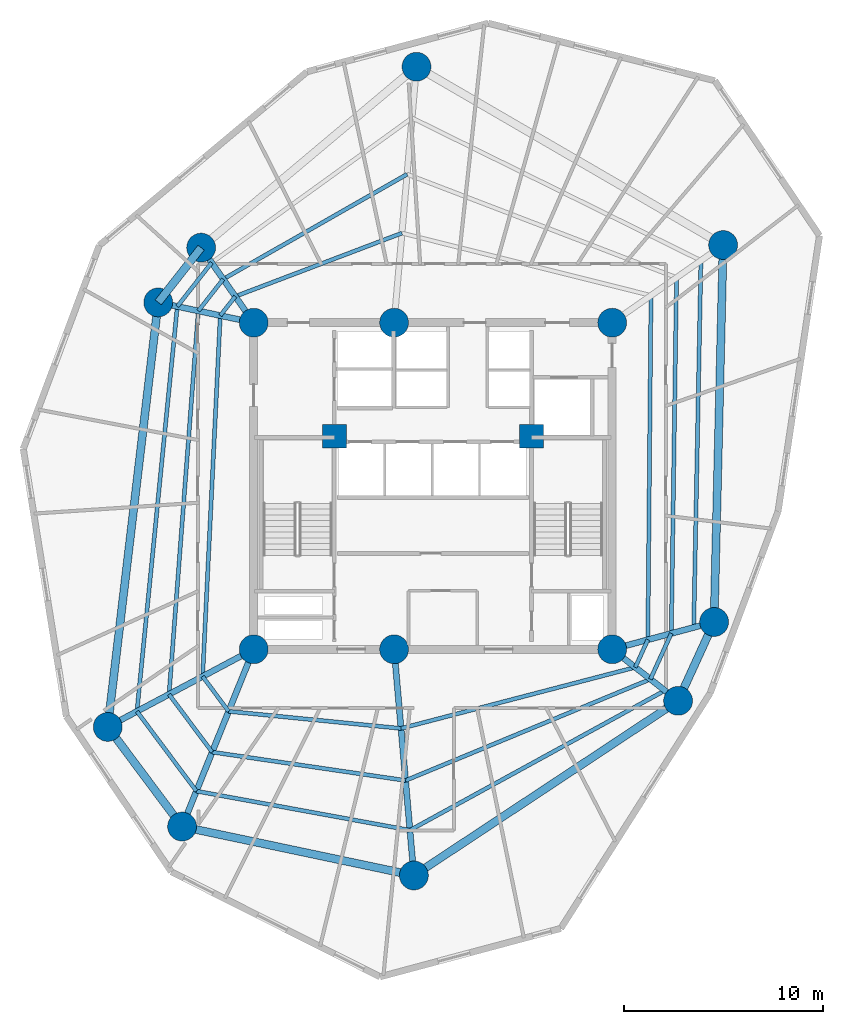
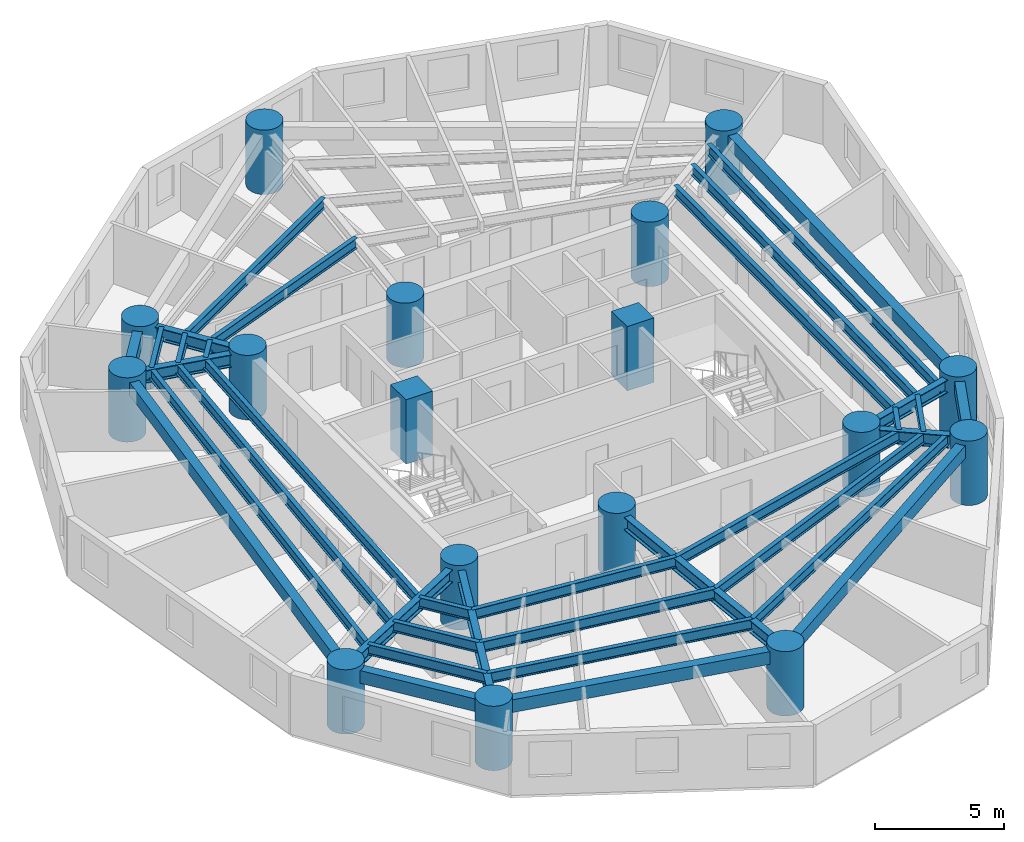
# One storey, part 1 of 7: 36 beams, 17 columns.
"""IFC4 building model written with IfcOpenShell, lengths in metres."""

from ifc_helpers import new_model, si_unit, direction, frame, origin, origin_with_axes, origin_2d, place, context, subcontext, project, spatial, rectangle, circle, i_section, extrude, source, transform, mapped, material, material_profile, profile_set, type_object, element, save


model = new_model("IFC4")

# Units and contexts
model_context = context("Model", 3, precision=1e-05, world=origin(), true_north=direction((0.0, 1.0)))
body_context = subcontext(model_context, "Body", "Model", "MODEL_VIEW")
ifc_project = project(units=[si_unit("LENGTHUNIT", "METRE"), si_unit("AREAUNIT", "SQUARE_METRE"), si_unit("VOLUMEUNIT", "CUBIC_METRE"), si_unit("PLANEANGLEUNIT", "RADIAN"), si_unit("MASSUNIT", "GRAM", prefix="KILO")], contexts=[model_context])

# Site, building, storey
site_placement = place(None, origin())
site = spatial("IfcSite", under=ifc_project, at=site_placement, CompositionType="ELEMENT")
building_placement = place(site_placement, origin())
building = spatial("IfcBuilding", under=site, at=building_placement, Name="Karkom Vertical University and Central Library", CompositionType="ELEMENT")
storey_placement = place(building_placement, frame((0.0, 0.0, 135.85009765625)))
storey = spatial("IfcBuildingStorey", under=building, at=storey_placement, Name="L38", CompositionType="ELEMENT", Elevation=135.85009765625)

# Columns
ifc_material_1 = material(Name="Concrete C50/60", Category="concrete")
ifc_material_profile_1 = material_profile(ifc_material_1, circle(Radius=0.72509765625, at=origin_2d()), Name="CFT-D1450")
ifc_profile_set_1 = profile_set([ifc_material_profile_1], Name="Concrete C50/60")
column_type_1 = type_object("IfcColumnType", Name="STR-COL-C-SC3", PredefinedType="COLUMN", material=ifc_profile_set_1)
shared_shape_1 = source(origin_with_axes(), body_context, "Body", "SweptSolid", [
    extrude(circle(Radius=0.72509765625, at=origin_2d()), origin(), (0.0, 0.0, 1.0), 3.0498046875),
])
for number, where, z_axis, x_axis, name in (
    (1, (19.5, 18.300048828125, 0.0), (0.0, 0.0, 1.0), (1.0, 0.0, 0.0), "Level 38 Spine Mega-Column SC-1"),
    (2, (26.550048828125, 18.300048828125, 0.0), (0.0, 0.0, 1.0), (1.0, 0.0, 0.0), "Level 38 Spine Mega-Column SC-2"),
    (3, (37.5, 18.300048828125, 0.0), (0.0, 0.0, 1.0), (1.0, 0.0, 0.0), "Level 38 Spine Mega-Column SC-3"),
    (4, (19.5, 34.699951171875, 0.0), (0.0, 0.0, 1.0), (1.0, 0.0, 0.0), "Level 38 Spine Mega-Column SC-4"),
    (5, (26.550048828125, 34.699951171875, 0.0), (0.0, 0.0, 1.0), (1.0, 0.0, 0.0), "Level 38 Spine Mega-Column SC-5"),
    (6, (37.5, 34.699951171875, 0.0), (0.0, 0.0, 1.0), (1.0, 0.0, 0.0), "Level 38 Spine Mega-Column SC-6"),
    (7, (42.618896484375, 19.672119140625, 0.0), (0.0, 0.0, 1.0), (1.0, 0.0, 0.0), "Level 38 Perimeter Mega-Column Z2-PC1"),
    (8, (43.070068359375, 38.60009765625, 0.0), (0.0, 0.0, 1.0), (1.0, 0.0, 0.0), "Level 38 Perimeter Mega-Column Z2-PC2"),
    (9, (27.674072265625, 47.551025390625, 0.0), (0.0, 0.0, 1.0), (1.0, 0.0, 0.0), "Level 38 Perimeter Mega-Column Z2-PC3"),
    (10, (16.862060546875, 38.468017578125, 0.0), (0.0, 0.0, 1.0), (1.0, 0.0, 0.0), "Level 38 Perimeter Mega-Column Z2-PC4"),
    (11, (14.70703125, 35.718994140625, 0.0), (0.0, 0.0, 1.0), (1.0, 0.0, 0.0), "Level 38 Perimeter Mega-Column Z2-PC5"),
    (12, (12.172119140625, 14.403076171875, 0.0), (0.0, 0.0, 1.0), (1.0, 0.0, 0.0), "Level 38 Perimeter Mega-Column Z2-PC6"),
    (13, (15.904052734375, 9.39892578125, 0.0), (0.0, 0.0, 1.0), (1.0, 0.0, 0.0), "Level 38 Perimeter Mega-Column Z2-PC7"),
    (14, (27.5439453125, 6.943115234375, 0.0), (0.0, 0.0, 1.0), (1.0, 0.0, 0.0), "Level 38 Perimeter Mega-Column Z2-PC8"),
    (15, (40.81005859375, 15.714111328125, 0.0), (0.0, 0.0, 1.0), (1.0, 0.0, 0.0), "Level 38 Perimeter Mega-Column Z2-PC9"),
):
    element("IfcColumn", number, at=place(storey_placement, frame(where, z_axis=z_axis, x_axis=x_axis)), inside=storey, type_object=column_type_1, Name=name, PredefinedType="COLUMN", context=body_context, shape_type="MappedRepresentation", body=[
        mapped(shared_shape_1, transform((0.0, 0.0, 0.0), scale=1.0)),
    ])
ifc_material_profile_2 = material_profile(ifc_material_1, rectangle(XDim=1.199951171875, YDim=1.199951171875, at=origin_2d()), Name="RC-1200x1200")
ifc_profile_set_2 = profile_set([ifc_material_profile_2], Name="Concrete C50/60")
column_type_2 = type_object("IfcColumnType", Name="STR-COL-C-CC1", PredefinedType="COLUMN", material=ifc_profile_set_2)
shared_shape_2 = source(origin_with_axes(), body_context, "Body", "SweptSolid", [
    extrude(rectangle(XDim=1.199951171875, YDim=1.199951171875, at=origin_2d()), origin(), (0.0, 0.0, 1.0), 3.0498046875),
])
for number, where, z_axis, x_axis, name in (
    (16, (23.550048828125, 29.0, 0.0), (0.0, 0.0, 1.0), (1.0, 0.0, 0.0), "Level 38 Core Node Column CC-1"),
    (17, (33.449951171875, 29.0, 0.0), (0.0, 0.0, 1.0), (1.0, 0.0, 0.0), "Level 38 Core Node Column CC-2"),
):
    element("IfcColumn", number, at=place(storey_placement, frame(where, z_axis=z_axis, x_axis=x_axis)), inside=storey, type_object=column_type_2, Name=name, PredefinedType="COLUMN", context=body_context, shape_type="MappedRepresentation", body=[
        mapped(shared_shape_2, transform((0.0, 0.0, 0.0), scale=1.0)),
    ])

# Beams
ifc_material_2 = material(Name="Precast concrete C45/55", Category="concrete")
ifc_material_profile_3 = material_profile(ifc_material_2, rectangle(XDim=0.39990234375, YDim=0.60009765625, at=origin_2d()), Name="SPB-400x600")
ifc_profile_set_3 = profile_set([ifc_material_profile_3], Name="Precast concrete C45/55")
beam_type_1 = type_object("IfcBeamType", Name="STR-BM-SP-1", PredefinedType="SPANDREL", material=ifc_profile_set_3)
shared_shape_3 = source(origin_with_axes(), body_context, "Body", "SweptSolid", [
    extrude(rectangle(XDim=0.39990234375, YDim=0.60009765625, at=origin_2d()), origin(), (0.0, 0.0, 1.0), 18.933349609375),
])
beam_1_placement = place(storey_placement, frame((42.618896484375, 19.672119140625, 2.52490234375), z_axis=(0.02382947333, 0.999716037783, 0.0), x_axis=(-0.999716037783, 0.02382947333, 0.0)))
element("IfcBeam", 18, at=beam_1_placement, inside=storey, type_object=beam_type_1, Name="Level 38 Perimeter Spandrel Beam 01", PredefinedType="SPANDREL", context=body_context, shape_type="MappedRepresentation", body=[
    mapped(shared_shape_3, transform((0.0, 0.0, 0.0), scale=1.0)),
])
shared_shape_4 = source(origin_with_axes(), body_context, "Body", "SweptSolid", [
    extrude(rectangle(XDim=0.39990234375, YDim=0.60009765625, at=origin_2d()), origin(), (0.0, 0.0, 1.0), 3.492919921875),
])
beam_2_placement = place(storey_placement, frame((16.862060546875, 38.468017578125, 2.52490234375), z_axis=(-0.616950700538, -0.787001799938, 0.0), x_axis=(0.787001799938, -0.616950700538, 0.0)))
element("IfcBeam", 19, at=beam_2_placement, inside=storey, type_object=beam_type_1, Name="Level 38 Perimeter Spandrel Beam 04", PredefinedType="SPANDREL", context=body_context, shape_type="MappedRepresentation", body=[
    mapped(shared_shape_4, transform((0.0, 0.0, 0.0), scale=1.0)),
])
shared_shape_5 = source(origin_with_axes(), body_context, "Body", "SweptSolid", [
    extrude(rectangle(XDim=0.39990234375, YDim=0.60009765625, at=origin_2d()), origin(), (0.0, 0.0, 1.0), 21.466064453125),
])
beam_3_placement = place(storey_placement, frame((14.70703125, 35.718994140625, 2.52490234375), z_axis=(-0.118088996795, -0.993003015522, 0.0), x_axis=(0.993003015522, -0.118088996795, 0.0)))
element("IfcBeam", 20, at=beam_3_placement, inside=storey, type_object=beam_type_1, Name="Level 38 Perimeter Spandrel Beam 05", PredefinedType="SPANDREL", context=body_context, shape_type="MappedRepresentation", body=[
    mapped(shared_shape_5, transform((0.0, 0.0, 0.0), scale=1.0)),
])
shared_shape_6 = source(origin_with_axes(), body_context, "Body", "SweptSolid", [
    extrude(rectangle(XDim=0.39990234375, YDim=0.60009765625, at=origin_2d()), origin(), (0.0, 0.0, 1.0), 6.242431640625),
])
beam_4_placement = place(storey_placement, frame((12.172119140625, 14.403076171875, 2.52490234375), z_axis=(0.59782643552, -0.801625569074, 0.0), x_axis=(0.801625569074, 0.59782643552, 0.0)))
element("IfcBeam", 21, at=beam_4_placement, inside=storey, type_object=beam_type_1, Name="Level 38 Perimeter Spandrel Beam 06", PredefinedType="SPANDREL", context=body_context, shape_type="MappedRepresentation", body=[
    mapped(shared_shape_6, transform((0.0, 0.0, 0.0), scale=1.0)),
])
shared_shape_7 = source(origin_with_axes(), body_context, "Body", "SweptSolid", [
    extrude(rectangle(XDim=0.39990234375, YDim=0.60009765625, at=origin_2d()), origin(), (0.0, 0.0, 1.0), 11.896240234375),
])
beam_5_placement = place(storey_placement, frame((15.904052734375, 9.39892578125, 2.52490234375), z_axis=(0.978459762135, -0.206437627101, 0.0), x_axis=(0.206437627101, 0.978459762135, 0.0)))
element("IfcBeam", 22, at=beam_5_placement, inside=storey, type_object=beam_type_1, Name="Level 38 Perimeter Spandrel Beam 07", PredefinedType="SPANDREL", context=body_context, shape_type="MappedRepresentation", body=[
    mapped(shared_shape_7, transform((0.0, 0.0, 0.0), scale=1.0)),
])
shared_shape_8 = source(origin_with_axes(), body_context, "Body", "SweptSolid", [
    extrude(rectangle(XDim=0.39990234375, YDim=0.60009765625, at=origin_2d()), origin(), (0.0, 0.0, 1.0), 15.903564453125),
])
beam_6_placement = place(storey_placement, frame((27.5439453125, 6.943115234375, 2.52490234375), z_axis=(0.834165069331, 0.551514856652, 0.0), x_axis=(-0.551514856652, 0.834165069331, 0.0)))
element("IfcBeam", 23, at=beam_6_placement, inside=storey, type_object=beam_type_1, Name="Level 38 Perimeter Spandrel Beam 08", PredefinedType="SPANDREL", context=body_context, shape_type="MappedRepresentation", body=[
    mapped(shared_shape_8, transform((0.0, 0.0, 0.0), scale=1.0)),
])
shared_shape_9 = source(origin_with_axes(), body_context, "Body", "SweptSolid", [
    extrude(rectangle(XDim=0.39990234375, YDim=0.60009765625, at=origin_2d()), origin(), (0.0, 0.0, 1.0), 4.351806640625),
])
beam_7_placement = place(storey_placement, frame((40.81005859375, 15.714111328125, 2.52490234375), z_axis=(0.415657668422, 0.909521139217, 0.0), x_axis=(-0.909521139217, 0.415657668422, 0.0)))
element("IfcBeam", 24, at=beam_7_placement, inside=storey, type_object=beam_type_1, Name="Level 38 Perimeter Spandrel Beam 09", PredefinedType="SPANDREL", context=body_context, shape_type="MappedRepresentation", body=[
    mapped(shared_shape_9, transform((0.0, 0.0, 0.0), scale=1.0)),
])
ifc_material_3 = material(Name="Steel S355", Category="steel")
ifc_material_profile_4 = material_profile(ifc_material_3, i_section(OverallWidth=0.199951171875, OverallDepth=0.5, WebThickness=0.01025390625, FlangeThickness=0.01611328125, FilletRadius=0.02099609375, at=origin_2d()), Name="IPE 500")
ifc_profile_set_4 = profile_set([ifc_material_profile_4], Name="Steel S355")
beam_type_2 = type_object("IfcBeamType", Name="STR-BM-SB-IPE500", PredefinedType="BEAM", material=ifc_profile_set_4)
shared_shape_10 = source(origin_with_axes(), body_context, "Body", "SweptSolid", [
    extrude(i_section(OverallWidth=0.199951171875, OverallDepth=0.5, WebThickness=0.01025390625, FlangeThickness=0.01611328125, FilletRadius=0.02099609375, at=origin_2d()), origin(), (0.0, 0.0, 1.0), 17.285400390625),
])
beam_8_placement = place(storey_placement, frame((39.29150390625, 18.7802734375, 2.574951171875), z_axis=(0.009138294648, 0.999958244914, 0.0), x_axis=(-0.999958244914, 0.009138294648, 0.0)))
element("IfcBeam", 25, at=beam_8_placement, inside=storey, type_object=beam_type_2, Name="Level 38 Secondary Composite Floor Beam 1.01", PredefinedType="BEAM", context=body_context, shape_type="MappedRepresentation", body=[
    mapped(shared_shape_10, transform((0.0, 0.0, 0.0), scale=1.0)),
])
shared_shape_11 = source(origin_with_axes(), body_context, "Body", "SweptSolid", [
    extrude(i_section(OverallWidth=0.199951171875, OverallDepth=0.5, WebThickness=0.01025390625, FlangeThickness=0.01611328125, FilletRadius=0.02099609375, at=origin_2d()), origin(), (0.0, 0.0, 1.0), 8.950439453125),
])
beam_9_placement = place(storey_placement, frame((26.943359375, 39.197998046875, 2.574951171875), z_axis=(-0.93478901494, -0.355203459368, 0.0), x_axis=(0.355203459368, -0.93478901494, 0.0)))
element("IfcBeam", 26, at=beam_9_placement, inside=storey, type_object=beam_type_2, Name="Level 38 Secondary Composite Floor Beam 1.03", PredefinedType="BEAM", context=body_context, shape_type="MappedRepresentation", body=[
    mapped(shared_shape_11, transform((0.0, 0.0, 0.0), scale=1.0)),
])
shared_shape_12 = source(origin_with_axes(), body_context, "Body", "SweptSolid", [
    extrude(i_section(OverallWidth=0.199951171875, OverallDepth=0.5, WebThickness=0.01025390625, FlangeThickness=0.01611328125, FilletRadius=0.02099609375, at=origin_2d()), origin(), (0.0, 0.0, 1.0), 1.222412109375),
])
beam_10_placement = place(storey_placement, frame((18.57666015625, 36.018798828125, 2.574951171875), z_axis=(-0.616895037184, -0.787045432677, 0.0), x_axis=(0.787045432677, -0.616895037184, 0.0)))
element("IfcBeam", 27, at=beam_10_placement, inside=storey, type_object=beam_type_2, Name="Level 38 Secondary Composite Floor Beam 1.04", PredefinedType="BEAM", context=body_context, shape_type="MappedRepresentation", body=[
    mapped(shared_shape_12, transform((0.0, 0.0, 0.0), scale=1.0)),
])
shared_shape_13 = source(origin_with_axes(), body_context, "Body", "SweptSolid", [
    extrude(i_section(OverallWidth=0.199951171875, OverallDepth=0.5, WebThickness=0.01025390625, FlangeThickness=0.01611328125, FilletRadius=0.02099609375, at=origin_2d()), origin(), (0.0, 0.0, 1.0), 18.142333984375),
])
beam_11_placement = place(storey_placement, frame((17.822509765625, 35.056640625, 2.574951171875), z_axis=(-0.048902644774, -0.998803549921, 0.0), x_axis=(0.998803549921, -0.048902644774, 0.0)))
element("IfcBeam", 28, at=beam_11_placement, inside=storey, type_object=beam_type_2, Name="Level 38 Secondary Composite Floor Beam 1.05", PredefinedType="BEAM", context=body_context, shape_type="MappedRepresentation", body=[
    mapped(shared_shape_13, transform((0.0, 0.0, 0.0), scale=1.0)),
])
shared_shape_14 = source(origin_with_axes(), body_context, "Body", "SweptSolid", [
    extrude(i_section(OverallWidth=0.199951171875, OverallDepth=0.5, WebThickness=0.01025390625, FlangeThickness=0.01611328125, FilletRadius=0.02099609375, at=origin_2d()), origin(), (0.0, 0.0, 1.0), 2.1845703125),
])
beam_12_placement = place(storey_placement, frame((16.935302734375, 16.93603515625, 2.574951171875), z_axis=(0.597870130664, -0.801592980795, 0.0), x_axis=(0.801592980795, 0.597870130664, 0.0)))
element("IfcBeam", 29, at=beam_12_placement, inside=storey, type_object=beam_type_2, Name="Level 38 Secondary Composite Floor Beam 1.06", PredefinedType="BEAM", context=body_context, shape_type="MappedRepresentation", body=[
    mapped(shared_shape_14, transform((0.0, 0.0, 0.0), scale=1.0)),
])
shared_shape_15 = source(origin_with_axes(), body_context, "Body", "SweptSolid", [
    extrude(i_section(OverallWidth=0.199951171875, OverallDepth=0.5, WebThickness=0.01025390625, FlangeThickness=0.01611328125, FilletRadius=0.02099609375, at=origin_2d()), origin(), (0.0, 0.0, 1.0), 8.698974609375),
])
beam_13_placement = place(storey_placement, frame((18.241455078125, 15.184814453125, 2.574951171875), z_axis=(0.995105588045, -0.098817349903, 0.0), x_axis=(0.098817349903, 0.995105588045, 0.0)))
element("IfcBeam", 30, at=beam_13_placement, inside=storey, type_object=beam_type_2, Name="Level 38 Secondary Composite Floor Beam 1.07", PredefinedType="BEAM", context=body_context, shape_type="MappedRepresentation", body=[
    mapped(shared_shape_15, transform((0.0, 0.0, 0.0), scale=1.0)),
])
shared_shape_16 = source(origin_with_axes(), body_context, "Body", "SweptSolid", [
    extrude(i_section(OverallWidth=0.199951171875, OverallDepth=0.5, WebThickness=0.01025390625, FlangeThickness=0.01611328125, FilletRadius=0.02099609375, at=origin_2d()), origin(), (0.0, 0.0, 1.0), 12.154541015625),
])
beam_14_placement = place(storey_placement, frame((26.89794921875, 14.3251953125, 2.574951171875), z_axis=(0.967579719768, 0.252565805077, 0.0), x_axis=(-0.252565805077, 0.967579719768, 0.0)))
element("IfcBeam", 31, at=beam_14_placement, inside=storey, type_object=beam_type_2, Name="Level 38 Secondary Composite Floor Beam 1.08", PredefinedType="BEAM", context=body_context, shape_type="MappedRepresentation", body=[
    mapped(shared_shape_16, transform((0.0, 0.0, 0.0), scale=1.0)),
])
shared_shape_17 = source(origin_with_axes(), body_context, "Body", "SweptSolid", [
    extrude(i_section(OverallWidth=0.199951171875, OverallDepth=0.5, WebThickness=0.01025390625, FlangeThickness=0.01611328125, FilletRadius=0.02099609375, at=origin_2d()), origin(), (0.0, 0.0, 1.0), 1.52294921875),
])
beam_15_placement = place(storey_placement, frame((38.658447265625, 17.39501953125, 2.574951171875), z_axis=(0.415649898107, 0.909524690266, 0.0), x_axis=(-0.909524690266, 0.415649898107, 0.0)))
element("IfcBeam", 32, at=beam_15_placement, inside=storey, type_object=beam_type_2, Name="Level 38 Secondary Composite Floor Beam 1.09", PredefinedType="BEAM", context=body_context, shape_type="MappedRepresentation", body=[
    mapped(shared_shape_17, transform((0.0, 0.0, 0.0), scale=1.0)),
])
shared_shape_18 = source(origin_with_axes(), body_context, "Body", "SweptSolid", [
    extrude(i_section(OverallWidth=0.199951171875, OverallDepth=0.5, WebThickness=0.01025390625, FlangeThickness=0.01611328125, FilletRadius=0.02099609375, at=origin_2d()), origin(), (0.0, 0.0, 1.0), 17.8681640625),
])
beam_16_placement = place(storey_placement, frame((40.468994140625, 19.095703125, 2.574951171875), z_axis=(0.014647239676, 0.999892723431, 0.0), x_axis=(-0.999892723431, 0.014647239676, 0.0)))
element("IfcBeam", 33, at=beam_16_placement, inside=storey, type_object=beam_type_2, Name="Level 38 Secondary Composite Floor Beam 2.01", PredefinedType="BEAM", context=body_context, shape_type="MappedRepresentation", body=[
    mapped(shared_shape_18, transform((0.0, 0.0, 0.0), scale=1.0)),
])
shared_shape_19 = source(origin_with_axes(), body_context, "Body", "SweptSolid", [
    extrude(i_section(OverallWidth=0.199951171875, OverallDepth=0.5, WebThickness=0.01025390625, FlangeThickness=0.01611328125, FilletRadius=0.02099609375, at=origin_2d()), origin(), (0.0, 0.0, 1.0), 10.629150390625),
])
beam_17_placement = place(storey_placement, frame((27.201904296875, 42.153564453125, 2.574951171875), z_axis=(-0.868539813491, -0.495619402748, 0.0), x_axis=(0.495619402748, -0.868539813491, 0.0)))
element("IfcBeam", 34, at=beam_17_placement, inside=storey, type_object=beam_type_2, Name="Level 38 Secondary Composite Floor Beam 2.03", PredefinedType="BEAM", context=body_context, shape_type="MappedRepresentation", body=[
    mapped(shared_shape_19, transform((0.0, 0.0, 0.0), scale=1.0)),
])
shared_shape_20 = source(origin_with_axes(), body_context, "Body", "SweptSolid", [
    extrude(i_section(OverallWidth=0.199951171875, OverallDepth=0.5, WebThickness=0.01025390625, FlangeThickness=0.01611328125, FilletRadius=0.02099609375, at=origin_2d()), origin(), (0.0, 0.0, 1.0), 2.02587890625),
])
beam_18_placement = place(storey_placement, frame((17.969970703125, 36.885498046875, 2.574951171875), z_axis=(-0.616889733535, -0.787049589708, 0.0), x_axis=(0.787049589708, -0.616889733535, 0.0)))
element("IfcBeam", 35, at=beam_18_placement, inside=storey, type_object=beam_type_2, Name="Level 38 Secondary Composite Floor Beam 2.04", PredefinedType="BEAM", context=body_context, shape_type="MappedRepresentation", body=[
    mapped(shared_shape_20, transform((0.0, 0.0, 0.0), scale=1.0)),
])
shared_shape_21 = source(origin_with_axes(), body_context, "Body", "SweptSolid", [
    extrude(i_section(OverallWidth=0.199951171875, OverallDepth=0.5, WebThickness=0.01025390625, FlangeThickness=0.01611328125, FilletRadius=0.02099609375, at=origin_2d()), origin(), (0.0, 0.0, 1.0), 19.307373046875),
])
beam_19_placement = place(storey_placement, frame((16.72021484375, 35.291015625, 2.574951171875), z_axis=(-0.07616078645, -0.997095549387, 0.0), x_axis=(0.997095549387, -0.07616078645, 0.0)))
element("IfcBeam", 36, at=beam_19_placement, inside=storey, type_object=beam_type_2, Name="Level 38 Secondary Composite Floor Beam 2.05", PredefinedType="BEAM", context=body_context, shape_type="MappedRepresentation", body=[
    mapped(shared_shape_21, transform((0.0, 0.0, 0.0), scale=1.0)),
])
shared_shape_22 = source(origin_with_axes(), body_context, "Body", "SweptSolid", [
    extrude(i_section(OverallWidth=0.199951171875, OverallDepth=0.5, WebThickness=0.01025390625, FlangeThickness=0.01611328125, FilletRadius=0.02099609375, at=origin_2d()), origin(), (0.0, 0.0, 1.0), 3.62060546875),
])
beam_20_placement = place(storey_placement, frame((15.249755859375, 16.039794921875, 2.574951171875), z_axis=(0.59784003707, -0.801615425298, 0.0), x_axis=(0.801615425298, 0.59784003707, 0.0)))
element("IfcBeam", 37, at=beam_20_placement, inside=storey, type_object=beam_type_2, Name="Level 38 Secondary Composite Floor Beam 2.06", PredefinedType="BEAM", context=body_context, shape_type="MappedRepresentation", body=[
    mapped(shared_shape_22, transform((0.0, 0.0, 0.0), scale=1.0)),
])
shared_shape_23 = source(origin_with_axes(), body_context, "Body", "SweptSolid", [
    extrude(i_section(OverallWidth=0.199951171875, OverallDepth=0.5, WebThickness=0.01025390625, FlangeThickness=0.01611328125, FilletRadius=0.02099609375, at=origin_2d()), origin(), (0.0, 0.0, 1.0), 9.816162109375),
])
beam_21_placement = place(storey_placement, frame((17.414306640625, 13.137451171875, 2.574951171875), z_axis=(0.989413295367, -0.145125225069, 0.0), x_axis=(0.145125225069, 0.989413295367, 0.0)))
element("IfcBeam", 38, at=beam_21_placement, inside=storey, type_object=beam_type_2, Name="Level 38 Secondary Composite Floor Beam 2.07", PredefinedType="BEAM", context=body_context, shape_type="MappedRepresentation", body=[
    mapped(shared_shape_23, transform((0.0, 0.0, 0.0), scale=1.0)),
])
shared_shape_24 = source(origin_with_axes(), body_context, "Body", "SweptSolid", [
    extrude(i_section(OverallWidth=0.199951171875, OverallDepth=0.5, WebThickness=0.01025390625, FlangeThickness=0.01611328125, FilletRadius=0.02099609375, at=origin_2d()), origin(), (0.0, 0.0, 1.0), 13.304443359375),
])
beam_22_placement = place(storey_placement, frame((27.12646484375, 11.712890625, 2.574951171875), z_axis=(0.924011243398, 0.382365299255, 0.0), x_axis=(-0.382365299255, 0.924011243398, 0.0)))
element("IfcBeam", 39, at=beam_22_placement, inside=storey, type_object=beam_type_2, Name="Level 38 Secondary Composite Floor Beam 2.08", PredefinedType="BEAM", context=body_context, shape_type="MappedRepresentation", body=[
    mapped(shared_shape_24, transform((0.0, 0.0, 0.0), scale=1.0)),
])
shared_shape_25 = source(origin_with_axes(), body_context, "Body", "SweptSolid", [
    extrude(i_section(OverallWidth=0.199951171875, OverallDepth=0.5, WebThickness=0.01025390625, FlangeThickness=0.01611328125, FilletRadius=0.02099609375, at=origin_2d()), origin(), (0.0, 0.0, 1.0), 2.52392578125),
])
beam_23_placement = place(storey_placement, frame((39.419921875, 16.800048828125, 2.574951171875), z_axis=(0.415638602127, 0.909529852408, 0.0), x_axis=(-0.909529852408, 0.415638602127, 0.0)))
element("IfcBeam", 40, at=beam_23_placement, inside=storey, type_object=beam_type_2, Name="Level 38 Secondary Composite Floor Beam 2.09", PredefinedType="BEAM", context=body_context, shape_type="MappedRepresentation", body=[
    mapped(shared_shape_25, transform((0.0, 0.0, 0.0), scale=1.0)),
])
shared_shape_26 = source(origin_with_axes(), body_context, "Body", "SweptSolid", [
    extrude(i_section(OverallWidth=0.199951171875, OverallDepth=0.5, WebThickness=0.01025390625, FlangeThickness=0.01611328125, FilletRadius=0.02099609375, at=origin_2d()), origin(), (0.0, 0.0, 1.0), 18.42578125),
])
beam_24_placement = place(storey_placement, frame((41.59521484375, 19.397705078125, 2.574951171875), z_axis=(0.019583298818, 0.999808228816, 0.0), x_axis=(-0.999808228816, 0.019583298818, 0.0)))
element("IfcBeam", 41, at=beam_24_placement, inside=storey, type_object=beam_type_2, Name="Level 38 Secondary Composite Floor Beam 3.01", PredefinedType="BEAM", context=body_context, shape_type="MappedRepresentation", body=[
    mapped(shared_shape_26, transform((0.0, 0.0, 0.0), scale=1.0)),
])
shared_shape_27 = source(origin_with_axes(), body_context, "Body", "SweptSolid", [
    extrude(i_section(OverallWidth=0.199951171875, OverallDepth=0.5, WebThickness=0.01025390625, FlangeThickness=0.01611328125, FilletRadius=0.02099609375, at=origin_2d()), origin(), (0.0, 0.0, 1.0), 2.79443359375),
])
beam_25_placement = place(storey_placement, frame((17.3896484375, 37.71435546875, 2.574951171875), z_axis=(-0.616972344898, -0.786984831894, 0.0), x_axis=(0.786984831894, -0.616972344898, 0.0)))
element("IfcBeam", 42, at=beam_25_placement, inside=storey, type_object=beam_type_2, Name="Level 38 Secondary Composite Floor Beam 3.04", PredefinedType="BEAM", context=body_context, shape_type="MappedRepresentation", body=[
    mapped(shared_shape_27, transform((0.0, 0.0, 0.0), scale=1.0)),
])
shared_shape_28 = source(origin_with_axes(), body_context, "Body", "SweptSolid", [
    extrude(i_section(OverallWidth=0.199951171875, OverallDepth=0.5, WebThickness=0.01025390625, FlangeThickness=0.01611328125, FilletRadius=0.02099609375, at=origin_2d()), origin(), (0.0, 0.0, 1.0), 20.43359375),
])
beam_26_placement = place(storey_placement, frame((15.66552734375, 35.51513671875, 2.574951171875), z_axis=(-0.099239913611, -0.995063535432, 0.0), x_axis=(0.995063535432, -0.099239913611, 0.0)))
element("IfcBeam", 43, at=beam_26_placement, inside=storey, type_object=beam_type_2, Name="Level 38 Secondary Composite Floor Beam 3.05", PredefinedType="BEAM", context=body_context, shape_type="MappedRepresentation", body=[
    mapped(shared_shape_28, transform((0.0, 0.0, 0.0), scale=1.0)),
])
shared_shape_29 = source(origin_with_axes(), body_context, "Body", "SweptSolid", [
    extrude(i_section(OverallWidth=0.199951171875, OverallDepth=0.5, WebThickness=0.01025390625, FlangeThickness=0.01611328125, FilletRadius=0.02099609375, at=origin_2d()), origin(), (0.0, 0.0, 1.0), 4.993896484375),
])
beam_27_placement = place(storey_placement, frame((13.6376953125, 15.182373046875, 2.574951171875), z_axis=(0.597846775537, -0.801610399745, 0.0), x_axis=(0.801610399745, 0.597846775537, 0.0)))
element("IfcBeam", 44, at=beam_27_placement, inside=storey, type_object=beam_type_2, Name="Level 38 Secondary Composite Floor Beam 3.06", PredefinedType="BEAM", context=body_context, shape_type="MappedRepresentation", body=[
    mapped(shared_shape_29, transform((0.0, 0.0, 0.0), scale=1.0)),
])
shared_shape_30 = source(origin_with_axes(), body_context, "Body", "SweptSolid", [
    extrude(i_section(OverallWidth=0.199951171875, OverallDepth=0.5, WebThickness=0.01025390625, FlangeThickness=0.01611328125, FilletRadius=0.02099609375, at=origin_2d()), origin(), (0.0, 0.0, 1.0), 10.900390625),
])
beam_28_placement = place(storey_placement, frame((16.623291015625, 11.17919921875, 2.574951171875), z_axis=(0.98362026014, -0.180253110495, 0.0), x_axis=(0.180253110495, 0.98362026014, 0.0)))
element("IfcBeam", 45, at=beam_28_placement, inside=storey, type_object=beam_type_2, Name="Level 38 Secondary Composite Floor Beam 3.07", PredefinedType="BEAM", context=body_context, shape_type="MappedRepresentation", body=[
    mapped(shared_shape_30, transform((0.0, 0.0, 0.0), scale=1.0)),
])
shared_shape_31 = source(origin_with_axes(), body_context, "Body", "SweptSolid", [
    extrude(i_section(OverallWidth=0.199951171875, OverallDepth=0.5, WebThickness=0.01025390625, FlangeThickness=0.01611328125, FilletRadius=0.02099609375, at=origin_2d()), origin(), (0.0, 0.0, 1.0), 14.599609375),
])
beam_29_placement = place(storey_placement, frame((27.34521484375, 9.21435546875, 2.574951171875), z_axis=(0.876928143127, 0.480621505752, 0.0), x_axis=(-0.480621505752, 0.876928143127, 0.0)))
element("IfcBeam", 46, at=beam_29_placement, inside=storey, type_object=beam_type_2, Name="Level 38 Secondary Composite Floor Beam 3.08", PredefinedType="BEAM", context=body_context, shape_type="MappedRepresentation", body=[
    mapped(shared_shape_31, transform((0.0, 0.0, 0.0), scale=1.0)),
])
ifc_material_profile_5 = material_profile(ifc_material_3, i_section(OverallWidth=0.300048828125, OverallDepth=0.60009765625, WebThickness=0.015380859375, FlangeThickness=0.030029296875, FilletRadius=0.027099609375, at=origin_2d()), Name="HE 600 B")
ifc_profile_set_5 = profile_set([ifc_material_profile_5], Name="Steel S355")
beam_type_3 = type_object("IfcBeamType", Name="STR-BM-SB-HE600", PredefinedType="USERDEFINED", material=ifc_profile_set_5)
shared_shape_32 = source(origin_with_axes(), body_context, "Body", "SweptSolid", [
    extrude(i_section(OverallWidth=0.300048828125, OverallDepth=0.60009765625, WebThickness=0.015380859375, FlangeThickness=0.030029296875, FilletRadius=0.027099609375, at=origin_2d()), origin(), (0.0, 0.0, 1.0), 5.299560546875),
])
beam_30_placement = place(storey_placement, frame((37.5, 18.300048828125, 2.52490234375), z_axis=(0.965903833688, 0.258901108663, 0.0), x_axis=(-0.258901108663, 0.965903833688, 0.0)))
element("IfcBeam", 47, at=beam_30_placement, inside=storey, type_object=beam_type_3, Name="Level 38 Radial Frame Girder 01", ObjectType="GIRDER", PredefinedType="USERDEFINED", context=body_context, shape_type="MappedRepresentation", body=[
    mapped(shared_shape_32, transform((0.0, 0.0, 0.0), scale=1.0)),
])
shared_shape_33 = source(origin_with_axes(), body_context, "Body", "SweptSolid", [
    extrude(i_section(OverallWidth=0.300048828125, OverallDepth=0.60009765625, WebThickness=0.015380859375, FlangeThickness=0.030029296875, FilletRadius=0.027099609375, at=origin_2d()), origin(), (0.0, 0.0, 1.0), 4.599609375),
])
beam_31_placement = place(storey_placement, frame((19.5, 34.699951171875, 2.52490234375), z_axis=(-0.573505090764, 0.819201996377, 0.0), x_axis=(-0.819201996377, -0.573505090764, 0.0)))
element("IfcBeam", 48, at=beam_31_placement, inside=storey, type_object=beam_type_3, Name="Level 38 Radial Frame Girder 04", ObjectType="GIRDER", PredefinedType="USERDEFINED", context=body_context, shape_type="MappedRepresentation", body=[
    mapped(shared_shape_33, transform((0.0, 0.0, 0.0), scale=1.0)),
])
shared_shape_34 = source(origin_with_axes(), body_context, "Body", "SweptSolid", [
    extrude(i_section(OverallWidth=0.300048828125, OverallDepth=0.60009765625, WebThickness=0.015380859375, FlangeThickness=0.030029296875, FilletRadius=0.027099609375, at=origin_2d()), origin(), (0.0, 0.0, 1.0), 4.900146484375),
])
beam_32_placement = place(storey_placement, frame((19.5, 34.699951171875, 2.52490234375), z_axis=(-0.978136559131, 0.207963630695, 0.0), x_axis=(-0.207963630695, -0.978136559131, 0.0)))
element("IfcBeam", 49, at=beam_32_placement, inside=storey, type_object=beam_type_3, Name="Level 38 Radial Frame Girder 05", ObjectType="GIRDER", PredefinedType="USERDEFINED", context=body_context, shape_type="MappedRepresentation", body=[
    mapped(shared_shape_34, transform((0.0, 0.0, 0.0), scale=1.0)),
])
shared_shape_35 = source(origin_with_axes(), body_context, "Body", "SweptSolid", [
    extrude(i_section(OverallWidth=0.300048828125, OverallDepth=0.60009765625, WebThickness=0.015380859375, FlangeThickness=0.030029296875, FilletRadius=0.027099609375, at=origin_2d()), origin(), (0.0, 0.0, 1.0), 8.299560546875),
])
beam_33_placement = place(storey_placement, frame((19.5, 18.300048828125, 2.52490234375), z_axis=(-0.882914163564, -0.469534428746, 0.0), x_axis=(0.469534428746, -0.882914163564, 0.0)))
element("IfcBeam", 50, at=beam_33_placement, inside=storey, type_object=beam_type_3, Name="Level 38 Radial Frame Girder 06", ObjectType="GIRDER", PredefinedType="USERDEFINED", context=body_context, shape_type="MappedRepresentation", body=[
    mapped(shared_shape_35, transform((0.0, 0.0, 0.0), scale=1.0)),
])
shared_shape_36 = source(origin_with_axes(), body_context, "Body", "SweptSolid", [
    extrude(i_section(OverallWidth=0.300048828125, OverallDepth=0.60009765625, WebThickness=0.015380859375, FlangeThickness=0.030029296875, FilletRadius=0.027099609375, at=origin_2d()), origin(), (0.0, 0.0, 1.0), 9.60009765625),
])
beam_34_placement = place(storey_placement, frame((19.5, 18.300048828125, 2.52490234375), z_axis=(-0.374576157034, -0.927196151082, 0.0), x_axis=(0.927196151082, -0.374576157034, 0.0)))
element("IfcBeam", 51, at=beam_34_placement, inside=storey, type_object=beam_type_3, Name="Level 38 Radial Frame Girder 07", ObjectType="GIRDER", PredefinedType="USERDEFINED", context=body_context, shape_type="MappedRepresentation", body=[
    mapped(shared_shape_36, transform((0.0, 0.0, 0.0), scale=1.0)),
])
shared_shape_37 = source(origin_with_axes(), body_context, "Body", "SweptSolid", [
    extrude(i_section(OverallWidth=0.300048828125, OverallDepth=0.60009765625, WebThickness=0.015380859375, FlangeThickness=0.030029296875, FilletRadius=0.027099609375, at=origin_2d()), origin(), (0.0, 0.0, 1.0), 11.400390625),
])
beam_35_placement = place(storey_placement, frame((26.550048828125, 18.300048828125, 2.52490234375), z_axis=(0.087181295702, -0.996192462168, 0.0), x_axis=(0.996192462168, 0.087181295702, 0.0)))
element("IfcBeam", 52, at=beam_35_placement, inside=storey, type_object=beam_type_3, Name="Level 38 Radial Frame Girder 08", ObjectType="GIRDER", PredefinedType="USERDEFINED", context=body_context, shape_type="MappedRepresentation", body=[
    mapped(shared_shape_37, transform((0.0, 0.0, 0.0), scale=1.0)),
])
shared_shape_38 = source(origin_with_axes(), body_context, "Body", "SweptSolid", [
    extrude(i_section(OverallWidth=0.300048828125, OverallDepth=0.60009765625, WebThickness=0.015380859375, FlangeThickness=0.030029296875, FilletRadius=0.027099609375, at=origin_2d()), origin(), (0.0, 0.0, 1.0), 4.200439453125),
])
beam_36_placement = place(storey_placement, frame((37.5, 18.300048828125, 2.52490234375), z_axis=(0.788029660796, -0.615637274461, 0.0), x_axis=(0.615637274461, 0.788029660796, 0.0)))
element("IfcBeam", 53, at=beam_36_placement, inside=storey, type_object=beam_type_3, Name="Level 38 Radial Frame Girder 09", ObjectType="GIRDER", PredefinedType="USERDEFINED", context=body_context, shape_type="MappedRepresentation", body=[
    mapped(shared_shape_38, transform((0.0, 0.0, 0.0), scale=1.0)),
])

save(model, "model.ifc")
